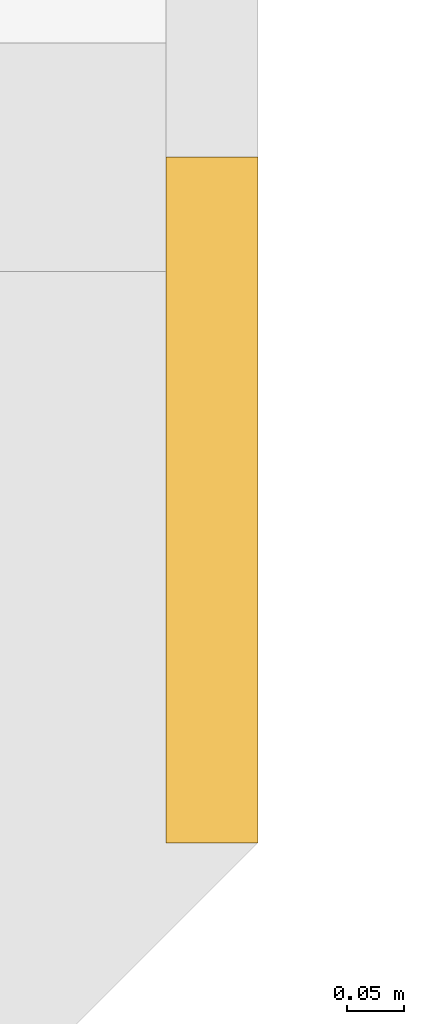
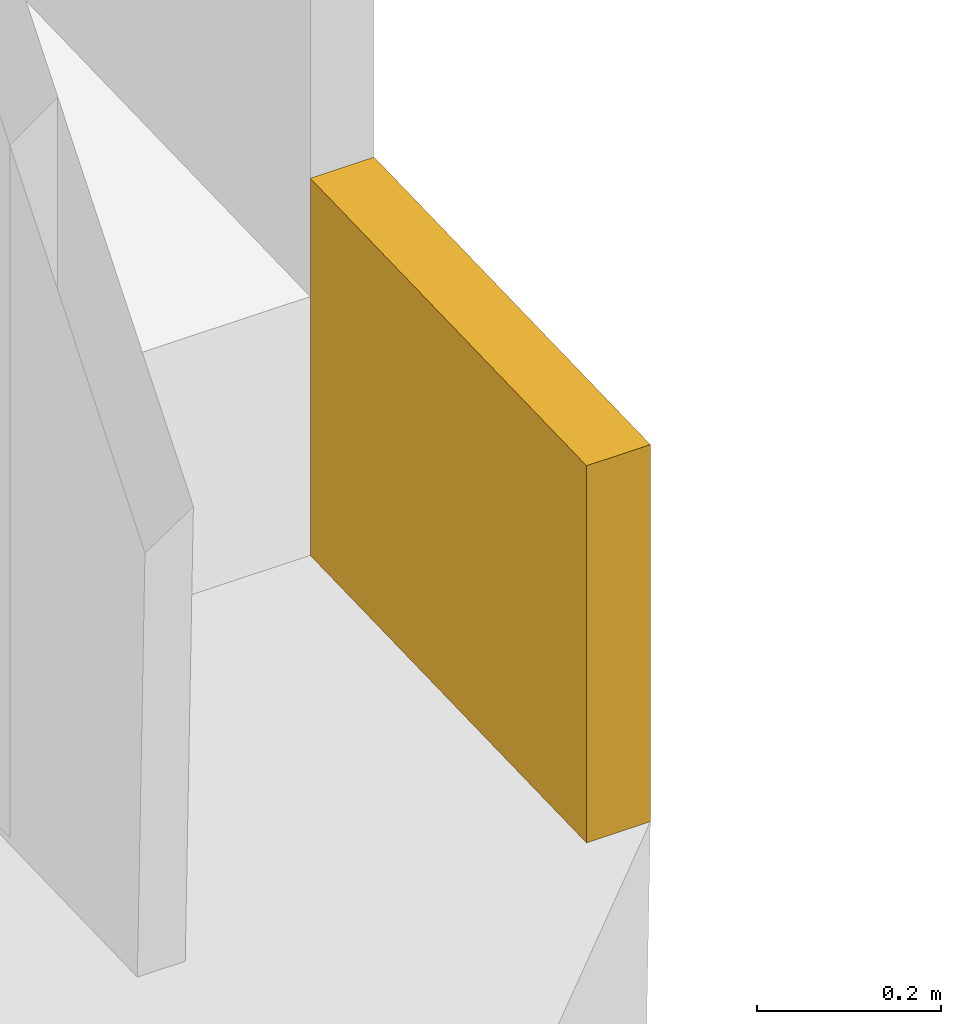
# One storey, part 30 of 30: 1 covering.
"""IFC4 building model written with IfcOpenShell, lengths in metres."""

from ifc_helpers import new_model, si_unit, direction, frame, origin, place, context, subcontext, project, spatial, polyline, outline, extrude, material, layer, layer_set, type_object, element, save


model = new_model("IFC4")

# Units and contexts
model_context = context("Model", 3, precision=1e-05, world=origin(), true_north=direction((0.0, 1.0)))
body_context = subcontext(model_context, "Body", "Model", "MODEL_VIEW")
ifc_project = project(units=[si_unit("LENGTHUNIT", "METRE"), si_unit("AREAUNIT", "SQUARE_METRE"), si_unit("VOLUMEUNIT", "CUBIC_METRE"), si_unit("PLANEANGLEUNIT", "RADIAN"), si_unit("MASSUNIT", "GRAM", prefix="KILO")], contexts=[model_context])

# Site, building, storey
site_placement = place(None, origin())
site = spatial("IfcSite", under=ifc_project, at=site_placement, CompositionType="ELEMENT")
building_placement = place(site_placement, origin())
building = spatial("IfcBuilding", under=site, at=building_placement, Name="Saffron Gate Tower", CompositionType="ELEMENT")
storey_placement = place(building_placement, frame((0.0, 0.0, 169.050048828125)))
storey = spatial("IfcBuildingStorey", under=building, at=storey_placement, Name="L41", CompositionType="ELEMENT", Elevation=169.050048828125)

# Covering
ifc_material = material(Name="Timber, thermally modified ash", Category="wood")
ifc_layer = layer(ifc_material, 0.080078125)
ifc_layer_set = layer_set([ifc_layer], Name="LD2 ledge planter trough")
covering_type = type_object("IfcCoveringType", Name="LD2 ledge planter trough", PredefinedType="CLADDING", material=ifc_layer_set)
covering_placement = place(storey_placement, frame((124.800048828125, 73.199951171875, 0.0595703125), z_axis=(1.0, 0.0, 0.0), x_axis=(0.0, 0.999583081391, 0.028873229772)))
element("IfcCovering", 1, at=covering_placement, inside=storey, type_object=covering_type, Name="LEDGE planter trough", PredefinedType="CLADDING", context=body_context, shape_type="SweptSolid", body=[
    extrude(outline(polyline([(0.0, 0.0), (0.6003479524834376, -3.469446951953614e-18), (0.6147845673692678, 0.4997915406953566), (0.014436614885830073, 0.4997915406953566), (0.0, 0.0)])), origin(), (0.0, 0.0, -1.0), 0.080078125),
])

save(model, "model.ifc")
